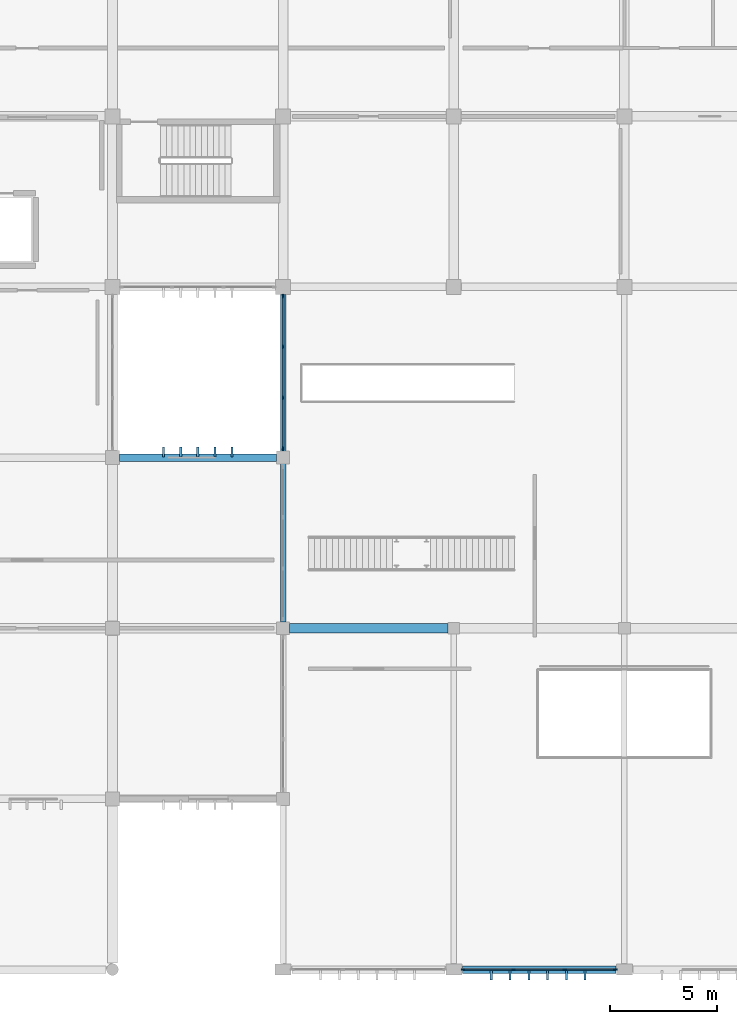
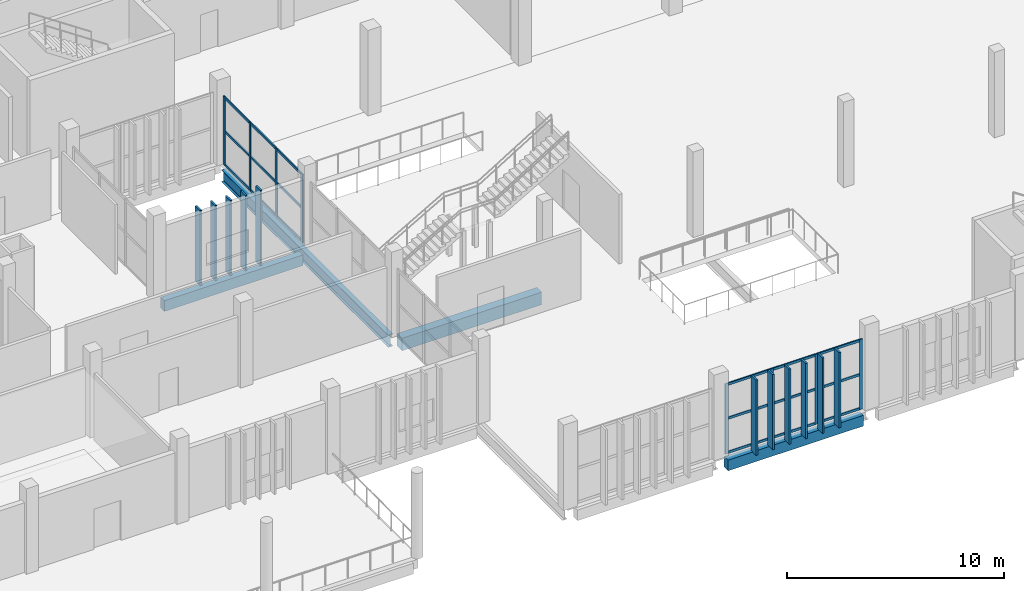
# One storey, part 50 of 106: 37 members, 4 beams, 2 elements without a shape of their own.
"""IFC4 building model written with IfcOpenShell, lengths in metres."""

from ifc_helpers import new_model, si_unit, direction, frame, origin, origin_2d, place, context, subcontext, project, spatial, rectangle, i_section, extrude, material, layer, layer_set, material_profile, profile_set, type_object, element, aggregate, save


model = new_model("IFC4")

# Units and contexts
model_context = context("Model", 3, precision=1e-05, world=origin(), true_north=direction((0.0, 1.0)))
body_context = subcontext(model_context, "Body", "Model", "MODEL_VIEW")
ifc_project = project(units=[si_unit("LENGTHUNIT", "METRE"), si_unit("AREAUNIT", "SQUARE_METRE"), si_unit("VOLUMEUNIT", "CUBIC_METRE"), si_unit("PLANEANGLEUNIT", "RADIAN"), si_unit("MASSUNIT", "GRAM", prefix="KILO")], contexts=[model_context])

# Site, building, storey
site_placement = place(None, origin())
site = spatial("IfcSite", under=ifc_project, at=site_placement, CompositionType="ELEMENT")
building_placement = place(site_placement, origin())
building = spatial("IfcBuilding", under=site, at=building_placement, Name="Jelvoka-Kovrelna Polytechnic", CompositionType="ELEMENT")
storey_placement = place(building_placement, frame((0.0, 0.0, 4.800048828125)))
storey = spatial("IfcBuildingStorey", under=building, at=storey_placement, Name="L02", CompositionType="ELEMENT", Elevation=4.800048828125)

# Beams
ifc_material_1 = material(Name="Concrete C40/50", Category="concrete")
ifc_material_profile_1 = material_profile(ifc_material_1, rectangle(XDim=0.449951171875, YDim=0.699951171875, at=origin_2d()), Name="RC 450x700")
ifc_profile_set_1 = profile_set([ifc_material_profile_1], Name="Concrete C40/50")
beam_type_1 = type_object("IfcBeamType", Name="Beam_RC_450x700", PredefinedType="BEAM", material=ifc_profile_set_1)
beam_1_placement = place(storey_placement, frame((160.304931640625, 16.0, -0.635009765625), z_axis=(1.0, 0.0, 0.0), x_axis=(0.0, 1.0, 0.0)))
element("IfcBeam", 1, at=beam_1_placement, inside=storey, type_object=beam_type_1, Name="L02 beam 0181", PredefinedType="BEAM", context=body_context, shape_type="SweptSolid", body=[
    extrude(rectangle(XDim=0.449951171875, YDim=0.699951171875, at=origin_2d()), origin(), (0.0, 0.0, 1.0), 7.4150390625),
])
ifc_material_2 = material(Name="Structural steel S355JR", Category="steel")
ifc_material_profile_2 = material_profile(ifc_material_2, i_section(OverallWidth=0.2529296875, OverallDepth=0.677978515625, WebThickness=0.01171875, FlangeThickness=0.01611328125, FilletRadius=0.01513671875, at=origin_2d()), Name="686x254x125 UB")
ifc_profile_set_2 = profile_set([ifc_material_profile_2], Name="Structural steel S355JR")
beam_type_2 = type_object("IfcBeamType", Name="Girder_Steel_UB686", PredefinedType="BEAM", material=ifc_profile_set_2)
beam_2_placement = place(storey_placement, frame((160.0, 16.304931640625, -0.6240234375), z_axis=(0.0, 1.0, 0.0), x_axis=(-1.0, 0.0, 0.0)))
element("IfcBeam", 2, at=beam_2_placement, inside=storey, type_object=beam_type_2, Name="L02 beam 0170", PredefinedType="BEAM", context=body_context, shape_type="SweptSolid", body=[
    extrude(i_section(OverallWidth=0.2529296875, OverallDepth=0.677978515625, WebThickness=0.01171875, FlangeThickness=0.01611328125, FilletRadius=0.01513671875, at=origin_2d()), origin(), (0.0, 0.0, 1.0), 15.340087890625),
])

# Members
ifc_material_3 = material(Name="Precast concrete C40/50", Category="concrete")
ifc_material_profile_3 = material_profile(ifc_material_3, rectangle(XDim=0.10009765625, YDim=0.449951171875, at=origin_2d()), Name="PC 100x450")
ifc_profile_set_3 = profile_set([ifc_material_profile_3], Name="Precast concrete C40/50")
member_type_1 = type_object("IfcMemberType", Name="Louvre_Fin_100x450", PredefinedType="USERDEFINED", material=ifc_profile_set_3)
for number, where, z_axis, x_axis, name in (
    (3, (154.39990234375, 24.264892578125, -0.27001953125), (0.0, 0.0, 1.0), (1.0, 0.0, 0.0), "L02 B1 north vertical solar louvre fin 0211"),
    (4, (155.199951171875, 24.264892578125, -0.27001953125), (0.0, 0.0, 1.0), (1.0, 0.0, 0.0), "L02 B1 north vertical solar louvre fin 0212"),
    (5, (156.0, 24.264892578125, -0.27001953125), (0.0, 0.0, 1.0), (1.0, 0.0, 0.0), "L02 B1 north vertical solar louvre fin 0213"),
    (6, (156.800048828125, 24.264892578125, -0.27001953125), (0.0, 0.0, 1.0), (1.0, 0.0, 0.0), "L02 B1 north vertical solar louvre fin 0214"),
    (7, (157.60009765625, 24.264892578125, -0.27001953125), (0.0, 0.0, 1.0), (1.0, 0.0, 0.0), "L02 B1 north vertical solar louvre fin 0215"),
    (8, (169.760009765625, -0.264892578125, -0.2900390625), (0.0, 0.0, 1.0), (1.0, 0.0, 0.0), "L02 V5 south solar louvre fin 2476"),
    (9, (170.639892578125, -0.264892578125, -0.2900390625), (0.0, 0.0, 1.0), (1.0, 0.0, 0.0), "L02 V5 south solar louvre fin 2477"),
    (10, (171.52001953125, -0.264892578125, -0.2900390625), (0.0, 0.0, 1.0), (1.0, 0.0, 0.0), "L02 V5 south solar louvre fin 2478"),
    (11, (172.39990234375, -0.264892578125, -0.2900390625), (0.0, 0.0, 1.0), (1.0, 0.0, 0.0), "L02 V5 south solar louvre fin 2479"),
    (12, (173.280029296875, -0.264892578125, -0.2900390625), (0.0, 0.0, 1.0), (1.0, 0.0, 0.0), "L02 V5 south solar louvre fin 2480"),
    (13, (174.159912109375, -0.264892578125, -0.2900390625), (0.0, 0.0, 1.0), (1.0, 0.0, 0.0), "L02 V5 south solar louvre fin 2481"),
):
    element("IfcMember", number, at=place(storey_placement, frame(where, z_axis=z_axis, x_axis=x_axis)), inside=storey, type_object=member_type_1, Name=name, ObjectType="SUNSHADE", PredefinedType="USERDEFINED", context=body_context, shape_type="SweptSolid", body=[
        extrude(rectangle(XDim=0.10009765625, YDim=0.449951171875, at=origin_2d()), origin(), (0.0, 0.0, 1.0), 4.22998046875),
    ])

# Curtain wall, members
ifc_material_4 = material(Name="Anodised aluminium 6063-T6", Category="aluminium")
ifc_layer = layer(ifc_material_4, 0.179931640625)
ifc_layer_set = layer_set([ifc_layer], Name="Anodised aluminium 6063-T6")
curtain_wall_type = type_object("IfcCurtainWallType", Name="CW_Pavilion", PredefinedType="NOTDEFINED", material=ifc_layer_set)
curtain_wall_1_placement = place(storey_placement, origin())
curtain_wall_1 = element("IfcCurtainWall", 14, at=curtain_wall_1_placement, inside=storey, type_object=curtain_wall_type, Name="L02 glazed curtain wall 280", PredefinedType="NOTDEFINED")
ifc_material_5 = material(Name="Anodised aluminium 6063-T6", Category="aluminium")
ifc_material_profile_4 = material_profile(ifc_material_5, rectangle(XDim=0.06494140625, YDim=0.179931640625, at=origin_2d()), Name="ALU 65x180")
ifc_profile_set_4 = profile_set([ifc_material_profile_4], Name="Anodised aluminium 6063-T6")
member_type_2 = type_object("IfcMemberType", Name="Mullion_M-05", PredefinedType="MULLION", material=ifc_profile_set_4)
member_1_placement = place(storey_placement, frame((175.5673828125, 0.0, -0.02490234375), z_axis=(0.0, 0.0, 1.0), x_axis=(0.0, -1.0, 0.0)))
member_1 = element("IfcMember", 15, at=member_1_placement, type_object=member_type_2, Name="CW-05 mullion 1", PredefinedType="MULLION", context=body_context, shape_type="SweptSolid", body=[
    extrude(rectangle(XDim=0.06494140625, YDim=0.179931640625, at=origin_2d()), origin(), (0.0, 0.0, 1.0), 3.93994140625),
])
member_2_placement = place(storey_placement, frame((173.199951171875, 0.0, -0.02490234375), z_axis=(0.0, 0.0, 1.0), x_axis=(0.0, -1.0, 0.0)))
member_2 = element("IfcMember", 16, at=member_2_placement, type_object=member_type_2, Name="CW-05 mullion 2", PredefinedType="MULLION", context=body_context, shape_type="SweptSolid", body=[
    extrude(rectangle(XDim=0.06494140625, YDim=0.179931640625, at=origin_2d()), origin(), (0.0, 0.0, 1.0), 3.93994140625),
])
member_3_placement = place(storey_placement, frame((170.800048828125, 0.0, -0.02490234375), z_axis=(0.0, 0.0, 1.0), x_axis=(0.0, -1.0, 0.0)))
member_3 = element("IfcMember", 17, at=member_3_placement, type_object=member_type_2, Name="CW-05 mullion 3", PredefinedType="MULLION", context=body_context, shape_type="SweptSolid", body=[
    extrude(rectangle(XDim=0.06494140625, YDim=0.179931640625, at=origin_2d()), origin(), (0.0, 0.0, 1.0), 3.93994140625),
])
member_4_placement = place(storey_placement, frame((168.4326171875, 0.0, -0.02490234375), z_axis=(0.0, 0.0, 1.0), x_axis=(0.0, -1.0, 0.0)))
member_4 = element("IfcMember", 18, at=member_4_placement, type_object=member_type_2, Name="CW-05 mullion 4", PredefinedType="MULLION", context=body_context, shape_type="SweptSolid", body=[
    extrude(rectangle(XDim=0.06494140625, YDim=0.179931640625, at=origin_2d()), origin(), (0.0, 0.0, 1.0), 3.93994140625),
])

curtain_wall_2_placement = place(storey_placement, origin())
curtain_wall_2 = element("IfcCurtainWall", 19, at=curtain_wall_2_placement, inside=storey, type_object=curtain_wall_type, Name="L02 glazed curtain wall 285", PredefinedType="NOTDEFINED")
member_5_placement = place(storey_placement, frame((160.0, 24.4326171875, -0.02490234375), z_axis=(0.0, 0.0, 1.0), x_axis=(-1.0, 0.0, 0.0)))
member_5 = element("IfcMember", 20, at=member_5_placement, type_object=member_type_2, Name="CW-05 mullion 1", PredefinedType="MULLION", context=body_context, shape_type="SweptSolid", body=[
    extrude(rectangle(XDim=0.06494140625, YDim=0.179931640625, at=origin_2d()), origin(), (0.0, 0.0, 1.0), 3.862060546875),
])
member_6_placement = place(storey_placement, frame((160.0, 26.800048828125, -0.02490234375), z_axis=(0.0, 0.0, 1.0), x_axis=(-1.0, 0.0, 0.0)))
member_6 = element("IfcMember", 21, at=member_6_placement, type_object=member_type_2, Name="CW-05 mullion 2", PredefinedType="MULLION", context=body_context, shape_type="SweptSolid", body=[
    extrude(rectangle(XDim=0.06494140625, YDim=0.179931640625, at=origin_2d()), origin(), (0.0, 0.0, 1.0), 3.862060546875),
])
member_7_placement = place(storey_placement, frame((160.0, 29.199951171875, -0.02490234375), z_axis=(0.0, 0.0, 1.0), x_axis=(-1.0, 0.0, 0.0)))
member_7 = element("IfcMember", 22, at=member_7_placement, type_object=member_type_2, Name="CW-05 mullion 3", PredefinedType="MULLION", context=body_context, shape_type="SweptSolid", body=[
    extrude(rectangle(XDim=0.06494140625, YDim=0.179931640625, at=origin_2d()), origin(), (0.0, 0.0, 1.0), 3.862060546875),
])
member_8_placement = place(storey_placement, frame((160.0, 31.5673828125, -0.02490234375), z_axis=(0.0, 0.0, 1.0), x_axis=(-1.0, 0.0, 0.0)))
member_8 = element("IfcMember", 23, at=member_8_placement, type_object=member_type_2, Name="CW-05 mullion 4", PredefinedType="MULLION", context=body_context, shape_type="SweptSolid", body=[
    extrude(rectangle(XDim=0.06494140625, YDim=0.179931640625, at=origin_2d()), origin(), (0.0, 0.0, 1.0), 3.862060546875),
])

# Beams
ifc_material_6 = material(Name="Concrete C40/50", Category="concrete")
ifc_material_profile_5 = material_profile(ifc_material_6, rectangle(XDim=0.35009765625, YDim=0.60009765625, at=origin_2d()), Name="RC 350x600")
ifc_profile_set_5 = profile_set([ifc_material_profile_5], Name="Concrete C40/50")
beam_type_3 = type_object("IfcBeamType", Name="Spandrel_RC_350x600", PredefinedType="SPANDREL", material=ifc_profile_set_5)
beam_3_placement = place(storey_placement, frame((168.405029296875, 0.0, -0.5849609375), z_axis=(1.0, 0.0, 0.0), x_axis=(0.0, 1.0, 0.0)))
element("IfcBeam", 24, at=beam_3_placement, inside=storey, type_object=beam_type_3, Name="L02 beam 0183", PredefinedType="SPANDREL", context=body_context, shape_type="SweptSolid", body=[
    extrude(rectangle(XDim=0.35009765625, YDim=0.60009765625, at=origin_2d()), origin(), (0.0, 0.0, 1.0), 7.18994140625),
])
beam_4_placement = place(storey_placement, frame((152.330078125, 24.0, -0.56494140625), z_axis=(1.0, 0.0, 0.0), x_axis=(0.0, 1.0, 0.0)))
element("IfcBeam", 25, at=beam_4_placement, inside=storey, type_object=beam_type_3, Name="L02 beam 0667", PredefinedType="SPANDREL", context=body_context, shape_type="SweptSolid", body=[
    extrude(rectangle(XDim=0.35009765625, YDim=0.60009765625, at=origin_2d()), origin(), (0.0, 0.0, 1.0), 7.364990234375),
])

# Member
ifc_material_7 = material(Name="Anodised aluminium 6063-T6", Category="aluminium")
ifc_material_profile_6 = material_profile(ifc_material_7, rectangle(XDim=0.06494140625, YDim=0.135009765625, at=origin_2d()), Name="ALU 65x135")
ifc_profile_set_6 = profile_set([ifc_material_profile_6], Name="Anodised aluminium 6063-T6")
member_type_3 = type_object("IfcMemberType", Name="Transom_T-05", PredefinedType="USERDEFINED", material=ifc_profile_set_6)
member_9_placement = place(storey_placement, frame((175.534912109375, 0.0, 0.032470703125), z_axis=(-1.0, 0.0, 0.0), x_axis=(0.0, -1.0, 0.0)))
member_9 = element("IfcMember", 26, at=member_9_placement, type_object=member_type_3, Name="CW-05 transom 1.1", ObjectType="TRANSOM", PredefinedType="USERDEFINED", context=body_context, shape_type="SweptSolid", body=[
    extrude(rectangle(XDim=0.06494140625, YDim=0.135009765625, at=origin_2d()), origin(), (0.0, 0.0, 1.0), 2.302490234375),
])

member_10_placement = place(storey_placement, frame((175.534912109375, 0.0, 1.945068359375), z_axis=(-1.0, 0.0, 0.0), x_axis=(0.0, -1.0, 0.0)))
member_10 = element("IfcMember", 27, at=member_10_placement, type_object=member_type_3, Name="CW-05 transom 1.2", ObjectType="TRANSOM", PredefinedType="USERDEFINED", context=body_context, shape_type="SweptSolid", body=[
    extrude(rectangle(XDim=0.06494140625, YDim=0.135009765625, at=origin_2d()), origin(), (0.0, 0.0, 1.0), 2.302490234375),
])

member_11_placement = place(storey_placement, frame((175.534912109375, 0.0, 3.857421875), z_axis=(-1.0, 0.0, 0.0), x_axis=(0.0, -1.0, 0.0)))
member_11 = element("IfcMember", 28, at=member_11_placement, type_object=member_type_3, Name="CW-05 transom 1.3", ObjectType="TRANSOM", PredefinedType="USERDEFINED", context=body_context, shape_type="SweptSolid", body=[
    extrude(rectangle(XDim=0.06494140625, YDim=0.135009765625, at=origin_2d()), origin(), (0.0, 0.0, 1.0), 2.302490234375),
])

member_12_placement = place(storey_placement, frame((173.16748046875, 0.0, 0.032470703125), z_axis=(-1.0, 0.0, 0.0), x_axis=(0.0, -1.0, 0.0)))
member_12 = element("IfcMember", 29, at=member_12_placement, type_object=member_type_3, Name="CW-05 transom 2.1", ObjectType="TRANSOM", PredefinedType="USERDEFINED", context=body_context, shape_type="SweptSolid", body=[
    extrude(rectangle(XDim=0.06494140625, YDim=0.135009765625, at=origin_2d()), origin(), (0.0, 0.0, 1.0), 2.3349609375),
])

member_13_placement = place(storey_placement, frame((173.16748046875, 0.0, 1.945068359375), z_axis=(-1.0, 0.0, 0.0), x_axis=(0.0, -1.0, 0.0)))
member_13 = element("IfcMember", 30, at=member_13_placement, type_object=member_type_3, Name="CW-05 transom 2.2", ObjectType="TRANSOM", PredefinedType="USERDEFINED", context=body_context, shape_type="SweptSolid", body=[
    extrude(rectangle(XDim=0.06494140625, YDim=0.135009765625, at=origin_2d()), origin(), (0.0, 0.0, 1.0), 2.3349609375),
])

member_14_placement = place(storey_placement, frame((173.16748046875, 0.0, 3.857421875), z_axis=(-1.0, 0.0, 0.0), x_axis=(0.0, -1.0, 0.0)))
member_14 = element("IfcMember", 31, at=member_14_placement, type_object=member_type_3, Name="CW-05 transom 2.3", ObjectType="TRANSOM", PredefinedType="USERDEFINED", context=body_context, shape_type="SweptSolid", body=[
    extrude(rectangle(XDim=0.06494140625, YDim=0.135009765625, at=origin_2d()), origin(), (0.0, 0.0, 1.0), 2.3349609375),
])

member_15_placement = place(storey_placement, frame((170.767578125, 0.0, 0.032470703125), z_axis=(-1.0, 0.0, 0.0), x_axis=(0.0, -1.0, 0.0)))
member_15 = element("IfcMember", 32, at=member_15_placement, type_object=member_type_3, Name="CW-05 transom 3.1", ObjectType="TRANSOM", PredefinedType="USERDEFINED", context=body_context, shape_type="SweptSolid", body=[
    extrude(rectangle(XDim=0.06494140625, YDim=0.135009765625, at=origin_2d()), origin(), (0.0, 0.0, 1.0), 2.302490234375),
])

member_16_placement = place(storey_placement, frame((170.767578125, 0.0, 1.945068359375), z_axis=(-1.0, 0.0, 0.0), x_axis=(0.0, -1.0, 0.0)))
member_16 = element("IfcMember", 33, at=member_16_placement, type_object=member_type_3, Name="CW-05 transom 3.2", ObjectType="TRANSOM", PredefinedType="USERDEFINED", context=body_context, shape_type="SweptSolid", body=[
    extrude(rectangle(XDim=0.06494140625, YDim=0.135009765625, at=origin_2d()), origin(), (0.0, 0.0, 1.0), 2.302490234375),
])

member_17_placement = place(storey_placement, frame((170.767578125, 0.0, 3.857421875), z_axis=(-1.0, 0.0, 0.0), x_axis=(0.0, -1.0, 0.0)))
member_17 = element("IfcMember", 34, at=member_17_placement, type_object=member_type_3, Name="CW-05 transom 3.3", ObjectType="TRANSOM", PredefinedType="USERDEFINED", context=body_context, shape_type="SweptSolid", body=[
    extrude(rectangle(XDim=0.06494140625, YDim=0.135009765625, at=origin_2d()), origin(), (0.0, 0.0, 1.0), 2.302490234375),
])

aggregate(curtain_wall_1, [member_1, member_2, member_3, member_4, member_9, member_10, member_11, member_12, member_13, member_14, member_15, member_16, member_17])

member_18_placement = place(storey_placement, frame((160.0, 24.465087890625, 0.032470703125), z_axis=(0.0, 1.0, 0.0), x_axis=(-1.0, 0.0, 0.0)))
member_18 = element("IfcMember", 35, at=member_18_placement, type_object=member_type_3, Name="CW-05 transom 1.1", ObjectType="TRANSOM", PredefinedType="USERDEFINED", context=body_context, shape_type="SweptSolid", body=[
    extrude(rectangle(XDim=0.06494140625, YDim=0.135009765625, at=origin_2d()), origin(), (0.0, 0.0, 1.0), 2.302490234375),
])

member_19_placement = place(storey_placement, frame((160.0, 24.465087890625, 1.906005859375), z_axis=(0.0, 1.0, 0.0), x_axis=(-1.0, 0.0, 0.0)))
member_19 = element("IfcMember", 36, at=member_19_placement, type_object=member_type_3, Name="CW-05 transom 1.2", ObjectType="TRANSOM", PredefinedType="USERDEFINED", context=body_context, shape_type="SweptSolid", body=[
    extrude(rectangle(XDim=0.06494140625, YDim=0.135009765625, at=origin_2d()), origin(), (0.0, 0.0, 1.0), 2.302490234375),
])

member_20_placement = place(storey_placement, frame((160.0, 24.465087890625, 3.779541015625), z_axis=(0.0, 1.0, 0.0), x_axis=(-1.0, 0.0, 0.0)))
member_20 = element("IfcMember", 37, at=member_20_placement, type_object=member_type_3, Name="CW-05 transom 1.3", ObjectType="TRANSOM", PredefinedType="USERDEFINED", context=body_context, shape_type="SweptSolid", body=[
    extrude(rectangle(XDim=0.06494140625, YDim=0.135009765625, at=origin_2d()), origin(), (0.0, 0.0, 1.0), 2.302490234375),
])

member_21_placement = place(storey_placement, frame((160.0, 26.83251953125, 0.032470703125), z_axis=(0.0, 1.0, 0.0), x_axis=(-1.0, 0.0, 0.0)))
member_21 = element("IfcMember", 38, at=member_21_placement, type_object=member_type_3, Name="CW-05 transom 2.1", ObjectType="TRANSOM", PredefinedType="USERDEFINED", context=body_context, shape_type="SweptSolid", body=[
    extrude(rectangle(XDim=0.06494140625, YDim=0.135009765625, at=origin_2d()), origin(), (0.0, 0.0, 1.0), 2.3349609375),
])

member_22_placement = place(storey_placement, frame((160.0, 26.83251953125, 1.906005859375), z_axis=(0.0, 1.0, 0.0), x_axis=(-1.0, 0.0, 0.0)))
member_22 = element("IfcMember", 39, at=member_22_placement, type_object=member_type_3, Name="CW-05 transom 2.2", ObjectType="TRANSOM", PredefinedType="USERDEFINED", context=body_context, shape_type="SweptSolid", body=[
    extrude(rectangle(XDim=0.06494140625, YDim=0.135009765625, at=origin_2d()), origin(), (0.0, 0.0, 1.0), 2.3349609375),
])

member_23_placement = place(storey_placement, frame((160.0, 26.83251953125, 3.779541015625), z_axis=(0.0, 1.0, 0.0), x_axis=(-1.0, 0.0, 0.0)))
member_23 = element("IfcMember", 40, at=member_23_placement, type_object=member_type_3, Name="CW-05 transom 2.3", ObjectType="TRANSOM", PredefinedType="USERDEFINED", context=body_context, shape_type="SweptSolid", body=[
    extrude(rectangle(XDim=0.06494140625, YDim=0.135009765625, at=origin_2d()), origin(), (0.0, 0.0, 1.0), 2.3349609375),
])

member_24_placement = place(storey_placement, frame((160.0, 29.232421875, 0.032470703125), z_axis=(0.0, 1.0, 0.0), x_axis=(-1.0, 0.0, 0.0)))
member_24 = element("IfcMember", 41, at=member_24_placement, type_object=member_type_3, Name="CW-05 transom 3.1", ObjectType="TRANSOM", PredefinedType="USERDEFINED", context=body_context, shape_type="SweptSolid", body=[
    extrude(rectangle(XDim=0.06494140625, YDim=0.135009765625, at=origin_2d()), origin(), (0.0, 0.0, 1.0), 2.302490234375),
])

member_25_placement = place(storey_placement, frame((160.0, 29.232421875, 1.906005859375), z_axis=(0.0, 1.0, 0.0), x_axis=(-1.0, 0.0, 0.0)))
member_25 = element("IfcMember", 42, at=member_25_placement, type_object=member_type_3, Name="CW-05 transom 3.2", ObjectType="TRANSOM", PredefinedType="USERDEFINED", context=body_context, shape_type="SweptSolid", body=[
    extrude(rectangle(XDim=0.06494140625, YDim=0.135009765625, at=origin_2d()), origin(), (0.0, 0.0, 1.0), 2.302490234375),
])

member_26_placement = place(storey_placement, frame((160.0, 29.232421875, 3.779541015625), z_axis=(0.0, 1.0, 0.0), x_axis=(-1.0, 0.0, 0.0)))
member_26 = element("IfcMember", 43, at=member_26_placement, type_object=member_type_3, Name="CW-05 transom 3.3", ObjectType="TRANSOM", PredefinedType="USERDEFINED", context=body_context, shape_type="SweptSolid", body=[
    extrude(rectangle(XDim=0.06494140625, YDim=0.135009765625, at=origin_2d()), origin(), (0.0, 0.0, 1.0), 2.302490234375),
])

aggregate(curtain_wall_2, [member_5, member_6, member_7, member_8, member_18, member_19, member_20, member_21, member_22, member_23, member_24, member_25, member_26])

save(model, "model.ifc")
